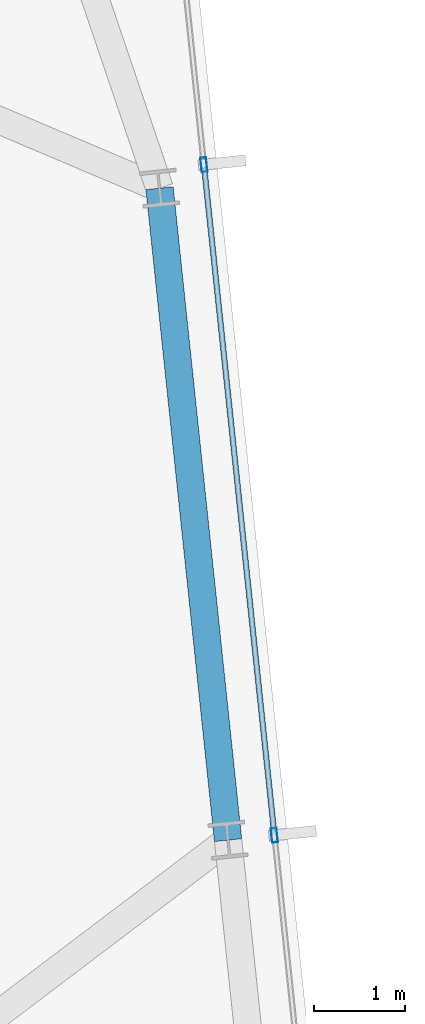
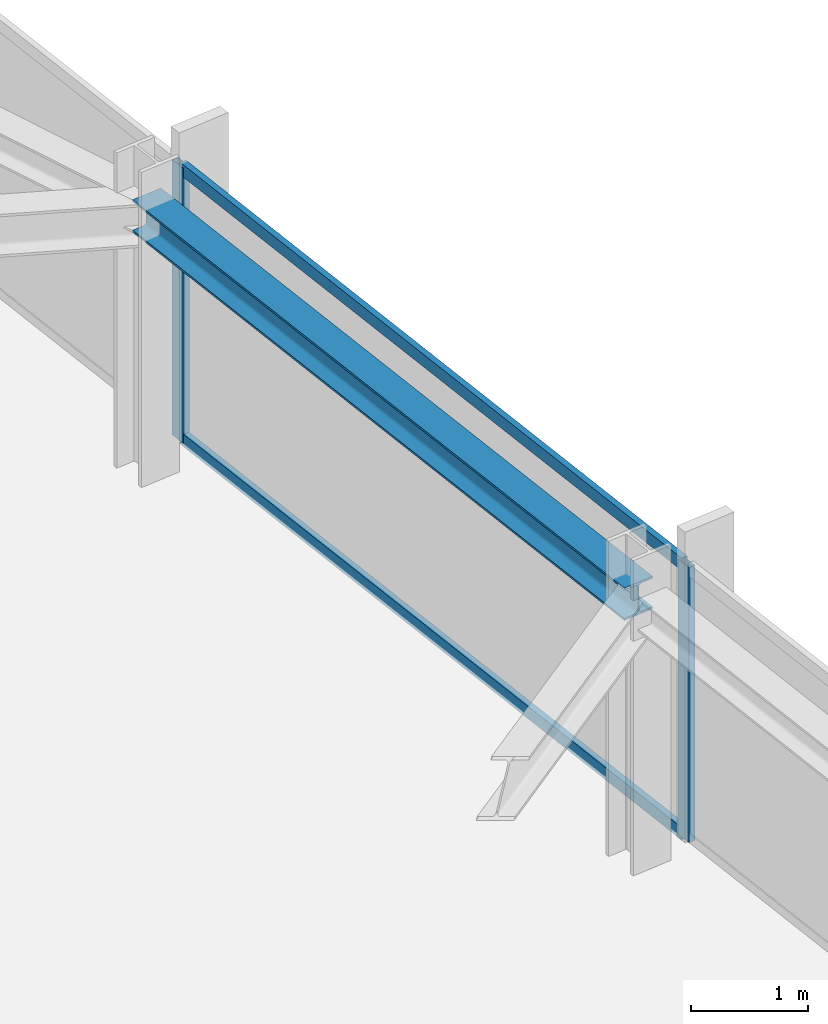
# One storey, part 19 of 33: 4 members, 1 beam, 1 element without a shape of its own.
"""IFC4 building model written with IfcOpenShell, lengths in metres."""

from ifc_helpers import new_model, si_unit, direction, frame, origin, origin_2d, place, context, subcontext, project, spatial, hollow_rectangle, i_section, extrude, material, material_profile, profile_set, type_object, element, aggregate, save


model = new_model("IFC4")

# Units and contexts
model_context = context("Model", 3, precision=1e-05, world=origin(), true_north=direction((0.0, 1.0)))
body_context = subcontext(model_context, "Body", "Model", "MODEL_VIEW")
ifc_project = project(units=[si_unit("LENGTHUNIT", "METRE"), si_unit("AREAUNIT", "SQUARE_METRE"), si_unit("VOLUMEUNIT", "CUBIC_METRE"), si_unit("PLANEANGLEUNIT", "RADIAN"), si_unit("MASSUNIT", "GRAM", prefix="KILO")], contexts=[model_context])

# Site, building, storey
site_placement = place(None, origin())
site = spatial("IfcSite", under=ifc_project, at=site_placement, CompositionType="ELEMENT")
building_placement = place(site_placement, origin())
building = spatial("IfcBuilding", under=site, at=building_placement, Name="Yelkora Congress Tower", CompositionType="ELEMENT")
storey_placement = place(building_placement, frame((0.0, 0.0, 244.10009765625)))
storey = spatial("IfcBuildingStorey", under=building, at=storey_placement, Name="L68", CompositionType="ELEMENT", Elevation=244.10009765625)

# Beam
ifc_material_1 = material(Name="Steel S355J2", Category="steel")
ifc_material_profile_1 = material_profile(ifc_material_1, i_section(OverallWidth=0.300048828125, OverallDepth=0.340087890625, WebThickness=0.011962890625, FlangeThickness=0.021484375, FilletRadius=0.027099609375, at=origin_2d()), Name="HEB 340")
ifc_profile_set_1 = profile_set([ifc_material_profile_1], Name="Steel S355J2")
beam_type = type_object("IfcBeamType", Name="BM-SPAN-HEB340", PredefinedType="SPANDREL", material=ifc_profile_set_1)
beam_placement = place(storey_placement, frame((69.60400390625, 34.296142578125, 2.7099609375), z_axis=(-0.104528914631, 0.994521847928, 0.0), x_axis=(-0.994521847928, -0.104528914631, 0.0)))
element("IfcBeam", 1, at=beam_placement, inside=storey, type_object=beam_type, Name="L68 Perimeter Beam 11", PredefinedType="SPANDREL", context=body_context, shape_type="SweptSolid", body=[
    extrude(i_section(OverallWidth=0.300048828125, OverallDepth=0.340087890625, WebThickness=0.011962890625, FlangeThickness=0.021484375, FilletRadius=0.027099609375, at=origin_2d()), origin(), (0.0, 0.0, 1.0), 7.175048828125),
])

# Curtain wall, members
ifc_material_2 = material(Name="Anodised aluminium and insulated glass", Category="aluminium")
curtain_wall_type = type_object("IfcCurtainWallType", Name="CW-SYS-B4", PredefinedType="NOTDEFINED", material=ifc_material_2)
curtain_wall_placement = place(storey_placement, origin())
curtain_wall = element("IfcCurtainWall", 2, at=curtain_wall_placement, inside=storey, type_object=curtain_wall_type, Name="L68 Unitised Curtain Wall 15", PredefinedType="NOTDEFINED")
ifc_material_3 = material(Name="Anodised aluminium 6063-T6", Category="aluminium")
ifc_material_profile_2 = material_profile(ifc_material_3, hollow_rectangle(XDim=0.06494140625, YDim=0.159912109375, WallThickness=0.00390625, at=origin_2d()), Name="ALU 65x160x4")
ifc_profile_set_2 = profile_set([ifc_material_profile_2], Name="Anodised aluminium 6063-T6")
member_type_1 = type_object("IfcMemberType", Name="MEM-ML-B4", PredefinedType="MULLION", material=ifc_profile_set_2)
member_1_placement = place(storey_placement, frame((69.33984375, 41.68896484375, 0.0), z_axis=(0.0, 0.0, 1.0), x_axis=(0.994522182968, 0.104525726898, 0.0)))
member_1 = element("IfcMember", 3, at=member_1_placement, type_object=member_type_1, Name="CW-B4 mullion 2", PredefinedType="MULLION", context=body_context, shape_type="SweptSolid", body=[
    extrude(hollow_rectangle(XDim=0.06494140625, YDim=0.159912109375, WallThickness=0.00390625, at=origin_2d()), origin(), (0.0, 0.0, 1.0), 2.8798828125),
])
member_2_placement = place(storey_placement, frame((70.111083984375, 34.349365234375, 0.0), z_axis=(0.0, 0.0, 1.0), x_axis=(0.994522182968, 0.104525726898, 0.0)))
member_2 = element("IfcMember", 4, at=member_2_placement, type_object=member_type_1, Name="CW-B4 mullion 3", PredefinedType="MULLION", context=body_context, shape_type="SweptSolid", body=[
    extrude(hollow_rectangle(XDim=0.06494140625, YDim=0.159912109375, WallThickness=0.00390625, at=origin_2d()), origin(), (0.0, 0.0, 1.0), 2.8798828125),
])
ifc_material_profile_3 = material_profile(ifc_material_3, hollow_rectangle(XDim=0.06005859375, YDim=0.1298828125, WallThickness=0.00390625, at=origin_2d()), Name="ALU 60x130x4")
ifc_profile_set_3 = profile_set([ifc_material_profile_3], Name="Anodised aluminium 6063-T6")
member_type_2 = type_object("IfcMemberType", Name="MEM-TR-B4", PredefinedType="USERDEFINED", material=ifc_profile_set_3)
member_3_placement = place(storey_placement, frame((69.34326171875, 41.65673828125, 0.02978515625), z_axis=(0.104531896307, -0.994521534535, 0.0), x_axis=(0.994521534535, 0.104531896307, 0.0)))
member_3 = element("IfcMember", 5, at=member_3_placement, type_object=member_type_2, Name="CW-B4 transom 2.1", ObjectType="TRANSOM", PredefinedType="USERDEFINED", context=body_context, shape_type="SweptSolid", body=[
    extrude(hollow_rectangle(XDim=0.06005859375, YDim=0.1298828125, WallThickness=0.00390625, at=origin_2d()), origin(), (0.0, 0.0, 1.0), 7.31494140625),
])
member_4_placement = place(storey_placement, frame((69.34326171875, 41.65673828125, 2.849853515625), z_axis=(0.104531896307, -0.994521534535, 0.0), x_axis=(0.994521534535, 0.104531896307, 0.0)))
member_4 = element("IfcMember", 6, at=member_4_placement, type_object=member_type_2, Name="CW-B4 transom 2.2", ObjectType="TRANSOM", PredefinedType="USERDEFINED", context=body_context, shape_type="SweptSolid", body=[
    extrude(hollow_rectangle(XDim=0.06005859375, YDim=0.1298828125, WallThickness=0.00390625, at=origin_2d()), origin(), (0.0, 0.0, 1.0), 7.31494140625),
])
aggregate(curtain_wall, [member_1, member_2, member_3, member_4])

save(model, "model.ifc")
